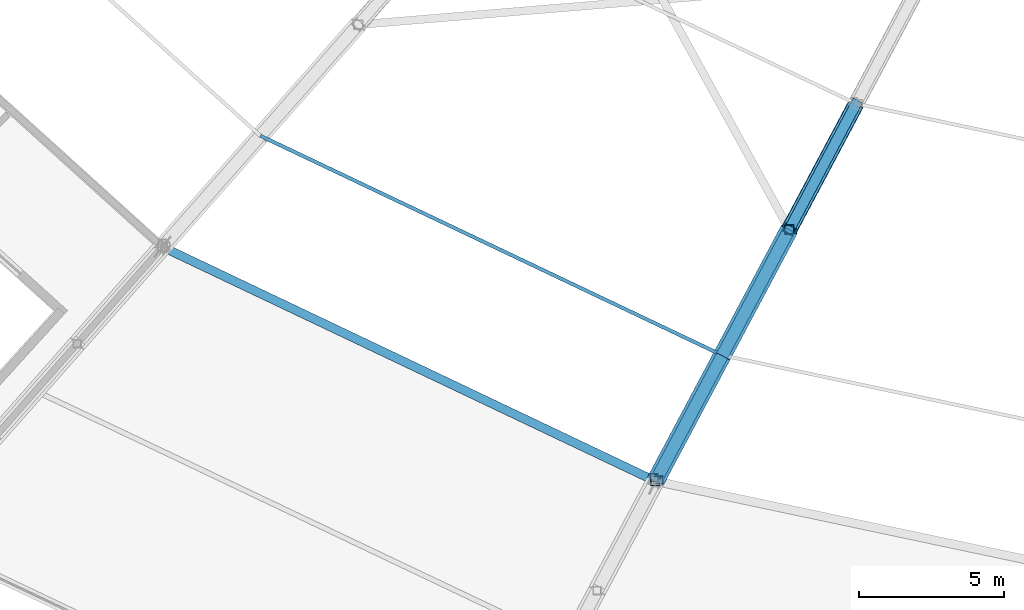
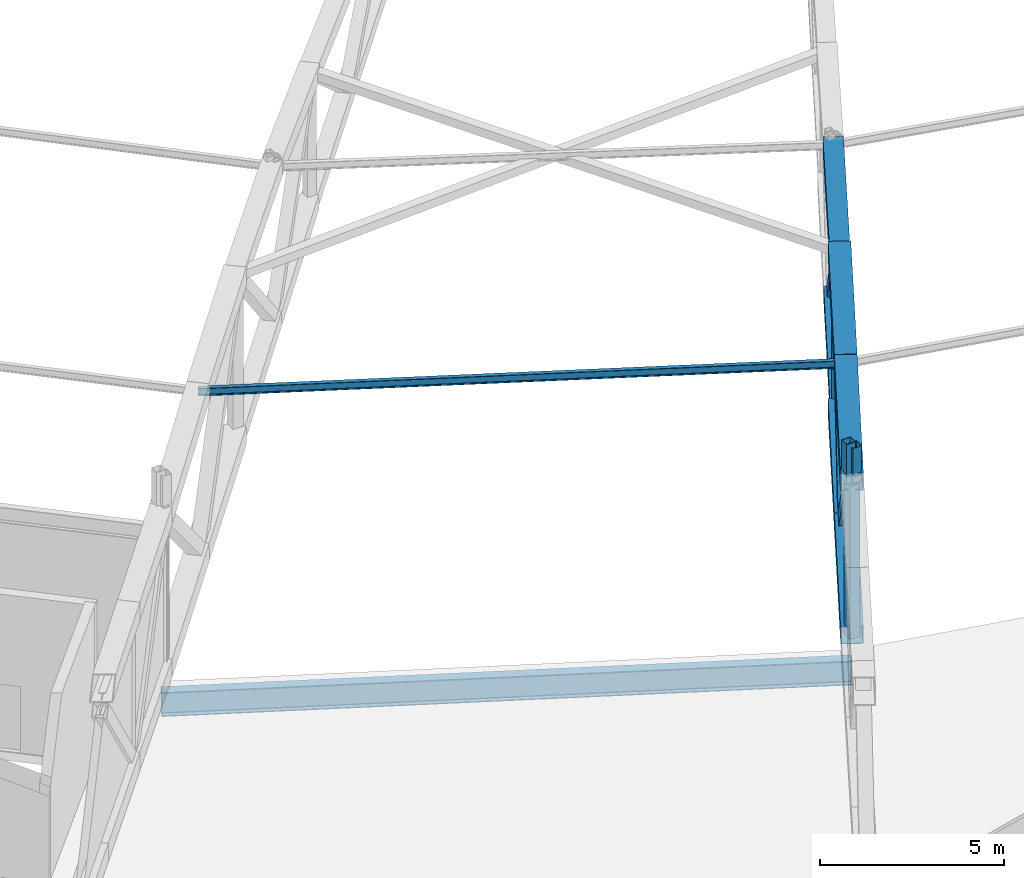
# One storey, part 18 of 162: 14 members, 1 beam.
"""IFC4 building model written with IfcOpenShell, lengths in metres."""

from ifc_helpers import new_model, si_unit, direction, frame, origin, origin_2d, place, context, subcontext, project, spatial, hollow_rectangle, i_section, extrude, material, material_profile, profile_set, type_object, element, save


model = new_model("IFC4")

# Units and contexts
model_context = context("Model", 3, precision=1e-05, world=origin(), true_north=direction((0.0, 1.0)))
body_context = subcontext(model_context, "Body", "Model", "MODEL_VIEW")
ifc_project = project(units=[si_unit("LENGTHUNIT", "METRE"), si_unit("AREAUNIT", "SQUARE_METRE"), si_unit("VOLUMEUNIT", "CUBIC_METRE"), si_unit("PLANEANGLEUNIT", "RADIAN"), si_unit("MASSUNIT", "GRAM", prefix="KILO")], contexts=[model_context])

# Site, building, storey
site_placement = place(None, origin())
site = spatial("IfcSite", under=ifc_project, at=site_placement, CompositionType="ELEMENT")
building_placement = place(site_placement, origin())
building = spatial("IfcBuilding", under=site, at=building_placement, Name="Kazemori Nagisa Stadium", CompositionType="ELEMENT")
storey_placement = place(building_placement, frame((0.0, 0.0, 36.719970703125)))
storey = spatial("IfcBuildingStorey", under=building, at=storey_placement, Name="RF", CompositionType="ELEMENT", Elevation=36.719970703125)

# Beam
ifc_material_1 = material(Name="Steel SN490B", Category="steel")
ifc_material_profile_1 = material_profile(ifc_material_1, i_section(OverallWidth=0.300048828125, OverallDepth=0.800048828125, WebThickness=0.013916015625, FlangeThickness=0.02587890625, FilletRadius=0.01806640625, at=origin_2d()), Name="H-800x300x14x26")
ifc_profile_set_1 = profile_set([ifc_material_profile_1], Name="Steel SN490B")
beam_type = type_object("IfcBeamType", Name="Beam_BG-H800", PredefinedType="BEAM", material=ifc_profile_set_1)
beam_placement = place(storey_placement, frame((69.165771484375, 40.88916015625, -0.679931640625), z_axis=(0.90321938295, -0.42917915404, 0.0), x_axis=(0.42917915404, 0.90321938295, 0.0)))
element("IfcBeam", 1, at=beam_placement, inside=storey, type_object=beam_type, Name="Ring girder BG-H800 RF R2-19", PredefinedType="BEAM", context=body_context, shape_type="SweptSolid", body=[
    extrude(i_section(OverallWidth=0.300048828125, OverallDepth=0.800048828125, WebThickness=0.013916015625, FlangeThickness=0.02587890625, FilletRadius=0.01806640625, at=origin_2d()), origin(), (0.0, 0.0, 1.0), 18.84619140625),
])

# Members
ifc_material_2 = material(Name="Steel STKR490", Category="steel")
ifc_material_profile_2 = material_profile(ifc_material_2, hollow_rectangle(XDim=0.280029296875, YDim=0.280029296875, WallThickness=0.010009765625, at=origin_2d()), Name="SHS-280x280x10")
ifc_profile_set_2 = profile_set([ifc_material_profile_2], Name="Steel STKR490")
member_type_1 = type_object("IfcMemberType", Name="Member_ST-SHS280", PredefinedType="STUD", material=ifc_profile_set_2)
member_1_placement = place(storey_placement, frame((86.141845703125, 32.91162109375, 5.56005859375), z_axis=(0.0, 0.0, 1.0), x_axis=(1.0, 0.0, 0.0)))
element("IfcMember", 2, at=member_1_placement, inside=storey, type_object=member_type_1, Name="Canopy bearing stool B19-mid-2", PredefinedType="STUD", context=body_context, shape_type="SweptSolid", body=[
    extrude(hollow_rectangle(XDim=0.280029296875, YDim=0.280029296875, WallThickness=0.010009765625, at=origin_2d()), origin(), (0.0, 0.0, 1.0), 1.31201171875),
])
member_2_placement = place(storey_placement, frame((86.29931640625, 32.845703125, 5.56005859375), z_axis=(0.0, 0.0, 1.0), x_axis=(1.0, 0.0, 0.0)))
element("IfcMember", 3, at=member_2_placement, inside=storey, type_object=member_type_1, Name="Canopy bearing stool B20-mid-1", PredefinedType="STUD", context=body_context, shape_type="SweptSolid", body=[
    extrude(hollow_rectangle(XDim=0.280029296875, YDim=0.280029296875, WallThickness=0.010009765625, at=origin_2d()), origin(), (0.0, 0.0, 1.0), 1.175048828125),
])
ifc_material_profile_3 = material_profile(ifc_material_2, hollow_rectangle(XDim=0.360107421875, YDim=0.360107421875, WallThickness=0.013916015625, at=origin_2d()), Name="SHS-360x360x14")
ifc_profile_set_3 = profile_set([ifc_material_profile_3], Name="Steel STKR490")
member_type_2 = type_object("IfcMemberType", Name="Member_TB-SHS360", PredefinedType="BRACE", material=ifc_profile_set_3)
member_3_placement = place(storey_placement, frame((90.810791015625, 41.490966796875, 6.369140625), z_axis=(0.333542332826, 0.626959537105, -0.704039239706), x_axis=(-0.88284131776, 0.469671382624, 0.0)))
element("IfcMember", 4, at=member_3_placement, inside=storey, type_object=member_type_2, Name="Roof space truss diagonal RT-20-6", PredefinedType="BRACE", context=body_context, shape_type="SweptSolid", body=[
    extrude(hollow_rectangle(XDim=0.360107421875, YDim=0.360107421875, WallThickness=0.013916015625, at=origin_2d()), origin(), (0.0, 0.0, 1.0), 6.93017578125),
])
ifc_material_profile_4 = material_profile(ifc_material_2, hollow_rectangle(XDim=0.419921875, YDim=0.419921875, WallThickness=0.01611328125, at=origin_2d()), Name="SHS-420x420x16")
ifc_profile_set_4 = profile_set([ifc_material_profile_4], Name="Steel STKR490")
member_type_3 = type_object("IfcMemberType", Name="Member_TB-SHS420", PredefinedType="BRACE", material=ifc_profile_set_4)
member_4_placement = place(storey_placement, frame((86.18798828125, 32.80078125, 5.56005859375), z_axis=(0.337703469868, 0.634781226579, -0.694988604815), x_axis=(-0.88284131776, 0.469671382624, 0.0)))
element("IfcMember", 5, at=member_4_placement, inside=storey, type_object=member_type_3, Name="Roof space truss diagonal RT-20-4", PredefinedType="BRACE", context=body_context, shape_type="SweptSolid", body=[
    extrude(hollow_rectangle(XDim=0.419921875, YDim=0.419921875, WallThickness=0.01611328125, at=origin_2d()), origin(), (0.0, 0.0, 1.0), 6.8447265625),
])
member_5_placement = place(storey_placement, frame((88.49951171875, 37.145751953125, 0.802978515625), z_axis=(0.311073465689, 0.584819429843, 0.749145869255), x_axis=(-0.882872826789, 0.469612150309, 0.0)))
element("IfcMember", 6, at=member_5_placement, inside=storey, type_object=member_type_3, Name="Roof space truss diagonal RT-20-5", PredefinedType="BRACE", context=body_context, shape_type="SweptSolid", body=[
    extrude(hollow_rectangle(XDim=0.419921875, YDim=0.419921875, WallThickness=0.01611328125, at=origin_2d()), origin(), (0.0, 0.0, 1.0), 7.429931640625),
])
ifc_material_profile_5 = material_profile(ifc_material_2, hollow_rectangle(XDim=0.52001953125, YDim=0.52001953125, WallThickness=0.01904296875, at=origin_2d()), Name="SHS-520x520x19")
ifc_profile_set_5 = profile_set([ifc_material_profile_5], Name="Steel STKR490")
member_type_4 = type_object("IfcMemberType", Name="Member_TC-SHS520", PredefinedType="CHORD", material=ifc_profile_set_5)
member_6_placement = place(storey_placement, frame((90.810791015625, 41.490966796875, 1.14697265625), z_axis=(0.468534777178, 0.880704840456, 0.069528027243), x_axis=(-0.88284131776, 0.469671382624, 0.0)))
element("IfcMember", 7, at=member_6_placement, inside=storey, type_object=member_type_4, Name="Roof space truss bottom chord RT-20-6", PredefinedType="CHORD", context=body_context, shape_type="SweptSolid", body=[
    extrude(hollow_rectangle(XDim=0.52001953125, YDim=0.52001953125, WallThickness=0.01904296875, at=origin_2d()), origin(), (0.0, 0.0, 1.0), 4.93359375),
])
ifc_material_profile_6 = material_profile(ifc_material_2, hollow_rectangle(XDim=0.56005859375, YDim=0.56005859375, WallThickness=0.02001953125, at=origin_2d()), Name="SHS-560x560x20")
ifc_profile_set_6 = profile_set([ifc_material_profile_6], Name="Steel STKR490")
member_type_5 = type_object("IfcMemberType", Name="Member_TC-SHS560", PredefinedType="CHORD", material=ifc_profile_set_6)
member_7_placement = place(storey_placement, frame((90.810791015625, 41.490966796875, 6.369140625), z_axis=(0.469646383327, 0.88279432658, 0.010317537783), x_axis=(-0.88284131776, 0.469671382624, 0.0)))
element("IfcMember", 8, at=member_7_placement, inside=storey, type_object=member_type_5, Name="Roof space truss top chord RT-20-6", PredefinedType="CHORD", context=body_context, shape_type="SweptSolid", body=[
    extrude(hollow_rectangle(XDim=0.56005859375, YDim=0.56005859375, WallThickness=0.02001953125, at=origin_2d()), origin(), (0.0, 0.0, 1.0), 4.921875),
])
ifc_material_profile_7 = material_profile(ifc_material_2, hollow_rectangle(XDim=0.6201171875, YDim=0.6201171875, WallThickness=0.02197265625, at=origin_2d()), Name="SHS-620x620x22")
ifc_profile_set_7 = profile_set([ifc_material_profile_7], Name="Steel STKR490")
member_type_6 = type_object("IfcMemberType", Name="Member_TC-SHS620", PredefinedType="CHORD", material=ifc_profile_set_7)
member_8_placement = place(storey_placement, frame((86.18798828125, 32.80078125, 5.56005859375), z_axis=(0.467266191089, 0.878320279132, 0.101073210747), x_axis=(-0.88284131776, 0.469671382624, 0.0)))
element("IfcMember", 9, at=member_8_placement, inside=storey, type_object=member_type_6, Name="Roof space truss top chord RT-20-4", PredefinedType="CHORD", context=body_context, shape_type="SweptSolid", body=[
    extrude(hollow_rectangle(XDim=0.6201171875, YDim=0.6201171875, WallThickness=0.02197265625, at=origin_2d()), origin(), (0.0, 0.0, 1.0), 4.947021484375),
])
member_9_placement = place(storey_placement, frame((86.18798828125, 32.80078125, 0.47998046875), z_axis=(0.468663162595, 0.88094616653, 0.065488103519), x_axis=(-0.88284131776, 0.469671382624, 0.0)))
element("IfcMember", 10, at=member_9_placement, inside=storey, type_object=member_type_6, Name="Roof space truss bottom chord RT-20-4", PredefinedType="CHORD", context=body_context, shape_type="SweptSolid", body=[
    extrude(hollow_rectangle(XDim=0.6201171875, YDim=0.6201171875, WallThickness=0.02197265625, at=origin_2d()), origin(), (0.0, 0.0, 1.0), 4.93212890625),
])
member_10_placement = place(storey_placement, frame((88.49951171875, 37.145751953125, 6.06005859375), z_axis=(0.468688838574, 0.881136996825, 0.06267667367), x_axis=(-0.882872826789, 0.469612150309, 0.0)))
element("IfcMember", 11, at=member_10_placement, inside=storey, type_object=member_type_6, Name="Roof space truss top chord RT-20-5", PredefinedType="CHORD", context=body_context, shape_type="SweptSolid", body=[
    extrude(hollow_rectangle(XDim=0.6201171875, YDim=0.6201171875, WallThickness=0.02197265625, at=origin_2d()), origin(), (0.0, 0.0, 1.0), 4.931396484375),
])
member_11_placement = place(storey_placement, frame((88.49951171875, 37.145751953125, 0.802978515625), z_axis=(0.468469278357, 0.880724222688, 0.069723588592), x_axis=(-0.882872826789, 0.469612150309, 0.0)))
element("IfcMember", 12, at=member_11_placement, inside=storey, type_object=member_type_6, Name="Roof space truss bottom chord RT-20-5", PredefinedType="CHORD", context=body_context, shape_type="SweptSolid", body=[
    extrude(hollow_rectangle(XDim=0.6201171875, YDim=0.6201171875, WallThickness=0.02197265625, at=origin_2d()), origin(), (0.0, 0.0, 1.0), 4.93359375),
])
ifc_material_profile_8 = material_profile(ifc_material_1, i_section(OverallWidth=0.125, OverallDepth=0.25, WebThickness=0.006103515625, FlangeThickness=0.009033203125, FilletRadius=0.008056640625, at=origin_2d()), Name="H-250x125x6x9")
ifc_profile_set_8 = profile_set([ifc_material_profile_8], Name="Steel SN490B")
member_type_7 = type_object("IfcMemberType", Name="Member_TP-H250", PredefinedType="PURLIN", material=ifc_profile_set_8)
member_12_placement = place(storey_placement, frame((72.546142578125, 44.7265625, 6.116943359375), z_axis=(0.90320785751, -0.429191325787, -0.003220559045), x_axis=(0.429193551591, 0.903212541583, 0.0)))
element("IfcMember", 13, at=member_12_placement, inside=storey, type_object=member_type_7, Name="Roof purlin TP-H250 B19-P4", PredefinedType="PURLIN", context=body_context, shape_type="SweptSolid", body=[
    extrude(i_section(OverallWidth=0.125, OverallDepth=0.25, WebThickness=0.006103515625, FlangeThickness=0.009033203125, FilletRadius=0.008056640625, at=origin_2d()), origin(), (0.0, 0.0, 1.0), 17.6630859375),
])
ifc_material_profile_9 = material_profile(ifc_material_2, hollow_rectangle(XDim=0.320068359375, YDim=0.320068359375, WallThickness=0.011962890625, at=origin_2d()), Name="SHS-320x320x12")
ifc_profile_set_9 = profile_set([ifc_material_profile_9], Name="Steel STKR490")
member_type_8 = type_object("IfcMemberType", Name="Member_TS-SHS320", PredefinedType="STRUT", material=ifc_profile_set_9)
member_13_placement = place(storey_placement, frame((86.18798828125, 32.80078125, 0.47998046875), z_axis=(0.0, 0.0, 1.0), x_axis=(1.0, 0.0, 0.0)))
element("IfcMember", 14, at=member_13_placement, inside=storey, type_object=member_type_8, Name="Roof space truss strut RT-20-4", PredefinedType="STRUT", context=body_context, shape_type="SweptSolid", body=[
    extrude(hollow_rectangle(XDim=0.320068359375, YDim=0.320068359375, WallThickness=0.011962890625, at=origin_2d()), origin(), (0.0, 0.0, 1.0), 5.080078125),
])
member_14_placement = place(storey_placement, frame((90.810791015625, 41.490966796875, 1.14697265625), z_axis=(0.0, 0.0, 1.0), x_axis=(1.0, 0.0, 0.0)))
element("IfcMember", 15, at=member_14_placement, inside=storey, type_object=member_type_8, Name="Roof space truss strut RT-20-6", PredefinedType="STRUT", context=body_context, shape_type="SweptSolid", body=[
    extrude(hollow_rectangle(XDim=0.320068359375, YDim=0.320068359375, WallThickness=0.011962890625, at=origin_2d()), origin(), (0.0, 0.0, 1.0), 5.22216796875),
])

save(model, "model.ifc")
